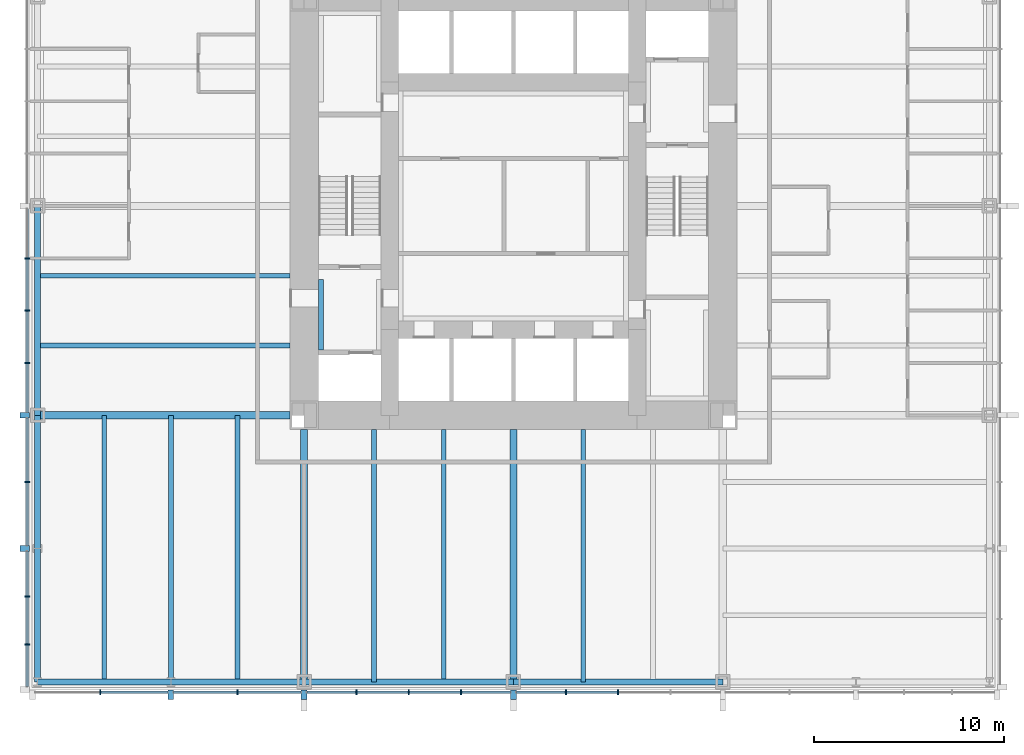
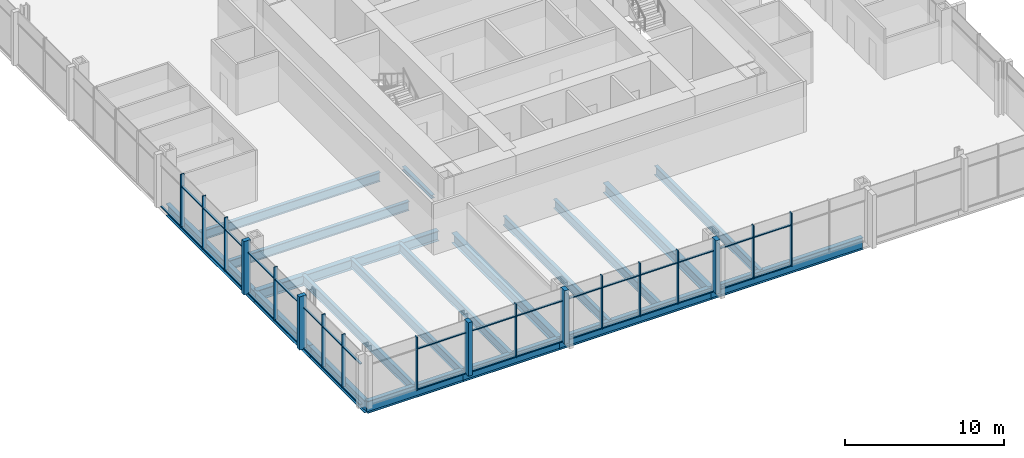
# One storey, part 2 of 12: 53 members, 19 beams, 2 elements without a shape of their own.
"""IFC4 building model written with IfcOpenShell, lengths in metres."""

from ifc_helpers import new_model, si_unit, direction, frame, origin, origin_2d, place, context, subcontext, project, spatial, rectangle, i_section, extrude, material, material_profile, profile_set, type_object, element, aggregate, save


model = new_model("IFC4")

# Units and contexts
model_context = context("Model", 3, precision=1e-05, world=origin(), true_north=direction((0.0, 1.0)))
body_context = subcontext(model_context, "Body", "Model", "MODEL_VIEW")
ifc_project = project(units=[si_unit("LENGTHUNIT", "METRE"), si_unit("AREAUNIT", "SQUARE_METRE"), si_unit("VOLUMEUNIT", "CUBIC_METRE"), si_unit("PLANEANGLEUNIT", "RADIAN"), si_unit("MASSUNIT", "GRAM", prefix="KILO")], contexts=[model_context])

# Site, building, storey
site_placement = place(None, origin())
site = spatial("IfcSite", under=ifc_project, at=site_placement, CompositionType="ELEMENT")
building_placement = place(site_placement, origin())
building = spatial("IfcBuilding", under=site, at=building_placement, Name="Trevanion Tower", CompositionType="ELEMENT")
storey_placement = place(building_placement, frame((0.0, 0.0, 44.699951171875)))
storey = spatial("IfcBuildingStorey", under=building, at=storey_placement, Name="L10", CompositionType="ELEMENT", Elevation=44.699951171875)

# Beams
ifc_material_1 = material(Name="Steel ASTM A992 Grade 50", Category="steel")
ifc_material_profile_1 = material_profile(ifc_material_1, i_section(OverallWidth=0.25390625, OverallDepth=0.700927734375, WebThickness=0.015380859375, FlangeThickness=0.02783203125, at=origin_2d()), Name="W27X129")
ifc_profile_set_1 = profile_set([ifc_material_profile_1], Name="Steel ASTM A992 Grade 50")
beam_type_1 = type_object("IfcBeamType", Name="B3 W27X129", PredefinedType="BEAM", material=ifc_profile_set_1)
for number, where, z_axis, x_axis, name in (
    (1, (-11.75, -3.666748046875, -0.54052734375), (-1.0, 0.0, 0.0), (0.0, -1.0, 0.0), "B3 L10"),
    (2, (-11.75, -7.333251953125, -0.54052734375), (-1.0, 0.0, 0.0), (0.0, -1.0, 0.0), "B3 L10"),
    (3, (-7.333251953125, -11.75, -0.54052734375), (0.0, -1.0, 0.0), (1.0, 0.0, 0.0), "B3 L10"),
    (4, (-3.666748046875, -11.75, -0.54052734375), (0.0, -1.0, 0.0), (1.0, 0.0, 0.0), "B3 L10"),
    (5, (3.666748046875, -11.75, -0.54052734375), (0.0, -1.0, 0.0), (1.0, 0.0, 0.0), "B3 L10"),
):
    element("IfcBeam", number, at=place(storey_placement, frame(where, z_axis=z_axis, x_axis=x_axis)), inside=storey, type_object=beam_type_1, Name=name, PredefinedType="BEAM", context=body_context, shape_type="SweptSolid", body=[
        extrude(i_section(OverallWidth=0.25390625, OverallDepth=0.700927734375, WebThickness=0.015380859375, FlangeThickness=0.02783203125, at=origin_2d()), origin(), (0.0, 0.0, 1.0), 13.25),
    ])
ifc_material_2 = material(Name="Steel ASTM A992 Grade 50", Category="steel")
ifc_material_profile_2 = material_profile(ifc_material_2, i_section(OverallWidth=0.256591796875, OverallDepth=0.693359375, WebThickness=0.014404296875, FlangeThickness=0.023681640625, at=origin_2d()), Name="W27X114")
ifc_profile_set_2 = profile_set([ifc_material_profile_2], Name="Steel ASTM A992 Grade 50")
beam_type_2 = type_object("IfcBeamType", Name="B4 W27X114", PredefinedType="BEAM", material=ifc_profile_set_2)
for number, where, z_axis, x_axis, name in (
    (6, (-14.5, -11.0, -0.53662109375), (0.0, -1.0, 0.0), (1.0, 0.0, 0.0), "B4 L10"),
    (7, (-18.0, -11.0, -0.53662109375), (0.0, -1.0, 0.0), (1.0, 0.0, 0.0), "B4 L10"),
    (8, (-21.5, -11.0, -0.53662109375), (0.0, -1.0, 0.0), (1.0, 0.0, 0.0), "B4 L10"),
):
    element("IfcBeam", number, at=place(storey_placement, frame(where, z_axis=z_axis, x_axis=x_axis)), inside=storey, type_object=beam_type_2, Name=name, PredefinedType="BEAM", context=body_context, shape_type="SweptSolid", body=[
        extrude(i_section(OverallWidth=0.256591796875, OverallDepth=0.693359375, WebThickness=0.014404296875, FlangeThickness=0.023681640625, at=origin_2d()), origin(), (0.0, 0.0, 1.0), 14.0),
    ])

# Curtain wall, members
ifc_material_3 = material(Name="Aluminium and glass", Category="aluminium")
curtain_wall_type = type_object("IfcCurtainWallType", Name="CW1 curtain wall", PredefinedType="USERDEFINED", material=ifc_material_3)
curtain_wall_1_placement = place(storey_placement, origin())
curtain_wall_1 = element("IfcCurtainWall", 9, at=curtain_wall_1_placement, inside=storey, type_object=curtain_wall_type, Name="CW1 L10 2", ObjectType="UNITISED CURTAIN WALL", PredefinedType="USERDEFINED")
ifc_material_4 = material(Name="Aluminium extrusion, anodised bronze", Category="aluminium")
ifc_material_profile_3 = material_profile(ifc_material_4, rectangle(XDim=0.074951171875, YDim=0.25, at=origin_2d()), Name="CW1 mullion")
ifc_profile_set_3 = profile_set([ifc_material_profile_3], Name="Aluminium extrusion, anodised bronze")
member_type_1 = type_object("IfcMemberType", Name="CW1 mullion", PredefinedType="MULLION", material=ifc_profile_set_3)
member_1_placement = place(storey_placement, frame((-25.550048828125, -2.75, -0.18994140625), z_axis=(0.0, 0.0, 1.0), x_axis=(0.0, -1.0, 0.0)))
member_1 = element("IfcMember", 10, at=member_1_placement, type_object=member_type_1, Name="CW1 mullion 10", PredefinedType="MULLION", context=body_context, shape_type="SweptSolid", body=[
    extrude(rectangle(XDim=0.074951171875, YDim=0.25, at=origin_2d()), origin(), (0.0, 0.0, 1.0), 4.10009765625),
])
member_2_placement = place(storey_placement, frame((-25.550048828125, -5.5, -0.18994140625), z_axis=(0.0, 0.0, 1.0), x_axis=(0.0, -1.0, 0.0)))
member_2 = element("IfcMember", 11, at=member_2_placement, type_object=member_type_1, Name="CW1 mullion 11", PredefinedType="MULLION", context=body_context, shape_type="SweptSolid", body=[
    extrude(rectangle(XDim=0.074951171875, YDim=0.25, at=origin_2d()), origin(), (0.0, 0.0, 1.0), 4.10009765625),
])
member_3_placement = place(storey_placement, frame((-25.550048828125, -8.25, -0.18994140625), z_axis=(0.0, 0.0, 1.0), x_axis=(0.0, -1.0, 0.0)))
member_3 = element("IfcMember", 12, at=member_3_placement, type_object=member_type_1, Name="CW1 mullion 12", PredefinedType="MULLION", context=body_context, shape_type="SweptSolid", body=[
    extrude(rectangle(XDim=0.074951171875, YDim=0.25, at=origin_2d()), origin(), (0.0, 0.0, 1.0), 4.10009765625),
])
member_4_placement = place(storey_placement, frame((-25.550048828125, -14.5, -0.18994140625), z_axis=(0.0, 0.0, 1.0), x_axis=(0.0, -1.0, 0.0)))
member_4 = element("IfcMember", 13, at=member_4_placement, type_object=member_type_1, Name="CW1 mullion 14", PredefinedType="MULLION", context=body_context, shape_type="SweptSolid", body=[
    extrude(rectangle(XDim=0.074951171875, YDim=0.25, at=origin_2d()), origin(), (0.0, 0.0, 1.0), 4.10009765625),
])
member_5_placement = place(storey_placement, frame((-25.550048828125, -20.5166015625, -0.18994140625), z_axis=(0.0, 0.0, 1.0), x_axis=(0.0, -1.0, 0.0)))
member_5 = element("IfcMember", 14, at=member_5_placement, type_object=member_type_1, Name="CW1 mullion 16", PredefinedType="MULLION", context=body_context, shape_type="SweptSolid", body=[
    extrude(rectangle(XDim=0.074951171875, YDim=0.25, at=origin_2d()), origin(), (0.0, 0.0, 1.0), 4.10009765625),
])
member_6_placement = place(storey_placement, frame((-25.550048828125, -23.033203125, -0.18994140625), z_axis=(0.0, 0.0, 1.0), x_axis=(0.0, -1.0, 0.0)))
member_6 = element("IfcMember", 15, at=member_6_placement, type_object=member_type_1, Name="CW1 mullion 17", PredefinedType="MULLION", context=body_context, shape_type="SweptSolid", body=[
    extrude(rectangle(XDim=0.074951171875, YDim=0.25, at=origin_2d()), origin(), (0.0, 0.0, 1.0), 4.10009765625),
])

curtain_wall_2_placement = place(storey_placement, origin())
curtain_wall_2 = element("IfcCurtainWall", 16, at=curtain_wall_2_placement, inside=storey, type_object=curtain_wall_type, Name="CW1 L10 3", ObjectType="UNITISED CURTAIN WALL", PredefinedType="USERDEFINED")
member_7_placement = place(storey_placement, frame((-21.7099609375, -25.550048828125, -0.18994140625), z_axis=(0.0, 0.0, 1.0), x_axis=(1.0, 0.0, 0.0)))
member_7 = element("IfcMember", 17, at=member_7_placement, type_object=member_type_1, Name="CW1 mullion 2", PredefinedType="MULLION", context=body_context, shape_type="SweptSolid", body=[
    extrude(rectangle(XDim=0.074951171875, YDim=0.25, at=origin_2d()), origin(), (0.0, 0.0, 1.0), 4.10009765625),
])
member_8_placement = place(storey_placement, frame((-14.5, -25.550048828125, -0.18994140625), z_axis=(0.0, 0.0, 1.0), x_axis=(1.0, 0.0, 0.0)))
member_8 = element("IfcMember", 18, at=member_8_placement, type_object=member_type_1, Name="CW1 mullion 4", PredefinedType="MULLION", context=body_context, shape_type="SweptSolid", body=[
    extrude(rectangle(XDim=0.074951171875, YDim=0.25, at=origin_2d()), origin(), (0.0, 0.0, 1.0), 4.10009765625),
])
member_9_placement = place(storey_placement, frame((-8.25, -25.550048828125, -0.18994140625), z_axis=(0.0, 0.0, 1.0), x_axis=(1.0, 0.0, 0.0)))
member_9 = element("IfcMember", 19, at=member_9_placement, type_object=member_type_1, Name="CW1 mullion 6", PredefinedType="MULLION", context=body_context, shape_type="SweptSolid", body=[
    extrude(rectangle(XDim=0.074951171875, YDim=0.25, at=origin_2d()), origin(), (0.0, 0.0, 1.0), 4.10009765625),
])
member_10_placement = place(storey_placement, frame((-5.5, -25.550048828125, -0.18994140625), z_axis=(0.0, 0.0, 1.0), x_axis=(1.0, 0.0, 0.0)))
member_10 = element("IfcMember", 20, at=member_10_placement, type_object=member_type_1, Name="CW1 mullion 7", PredefinedType="MULLION", context=body_context, shape_type="SweptSolid", body=[
    extrude(rectangle(XDim=0.074951171875, YDim=0.25, at=origin_2d()), origin(), (0.0, 0.0, 1.0), 4.10009765625),
])
member_11_placement = place(storey_placement, frame((-2.75, -25.550048828125, -0.18994140625), z_axis=(0.0, 0.0, 1.0), x_axis=(1.0, 0.0, 0.0)))
member_11 = element("IfcMember", 21, at=member_11_placement, type_object=member_type_1, Name="CW1 mullion 8", PredefinedType="MULLION", context=body_context, shape_type="SweptSolid", body=[
    extrude(rectangle(XDim=0.074951171875, YDim=0.25, at=origin_2d()), origin(), (0.0, 0.0, 1.0), 4.10009765625),
])
member_12_placement = place(storey_placement, frame((2.75, -25.550048828125, -0.18994140625), z_axis=(0.0, 0.0, 1.0), x_axis=(1.0, 0.0, 0.0)))
member_12 = element("IfcMember", 22, at=member_12_placement, type_object=member_type_1, Name="CW1 mullion 10", PredefinedType="MULLION", context=body_context, shape_type="SweptSolid", body=[
    extrude(rectangle(XDim=0.074951171875, YDim=0.25, at=origin_2d()), origin(), (0.0, 0.0, 1.0), 4.10009765625),
])
member_13_placement = place(storey_placement, frame((5.5, -25.550048828125, -0.18994140625), z_axis=(0.0, 0.0, 1.0), x_axis=(1.0, 0.0, 0.0)))
member_13 = element("IfcMember", 23, at=member_13_placement, type_object=member_type_1, Name="CW1 mullion 11", PredefinedType="MULLION", context=body_context, shape_type="SweptSolid", body=[
    extrude(rectangle(XDim=0.074951171875, YDim=0.25, at=origin_2d()), origin(), (0.0, 0.0, 1.0), 4.10009765625),
])

# Member
ifc_material_5 = material(Name="Aluminium extrusion, anodised bronze", Category="aluminium")
ifc_material_profile_4 = material_profile(ifc_material_5, rectangle(XDim=0.300048828125, YDim=0.5, at=origin_2d()), Name="CW1 pier mullion")
ifc_profile_set_4 = profile_set([ifc_material_profile_4], Name="Aluminium extrusion, anodised bronze")
member_type_2 = type_object("IfcMemberType", Name="CW1 pier mullion", PredefinedType="MULLION", material=ifc_profile_set_4)
member_14_placement = place(storey_placement, frame((-25.675048828125, -11.0, -0.18994140625), z_axis=(0.0, 0.0, 1.0), x_axis=(0.0, -1.0, 0.0)))
member_14 = element("IfcMember", 24, at=member_14_placement, type_object=member_type_2, Name="CW1 pier mullion 13", PredefinedType="MULLION", context=body_context, shape_type="SweptSolid", body=[
    extrude(rectangle(XDim=0.300048828125, YDim=0.5, at=origin_2d()), origin(), (0.0, 0.0, 1.0), 4.10009765625),
])

member_15_placement = place(storey_placement, frame((-25.675048828125, -18.0, -0.18994140625), z_axis=(0.0, 0.0, 1.0), x_axis=(0.0, -1.0, 0.0)))
member_15 = element("IfcMember", 25, at=member_15_placement, type_object=member_type_2, Name="CW1 pier mullion 15", PredefinedType="MULLION", context=body_context, shape_type="SweptSolid", body=[
    extrude(rectangle(XDim=0.300048828125, YDim=0.5, at=origin_2d()), origin(), (0.0, 0.0, 1.0), 4.10009765625),
])

member_16_placement = place(storey_placement, frame((-18.0, -25.675048828125, -0.18994140625), z_axis=(0.0, 0.0, 1.0), x_axis=(1.0, 0.0, 0.0)))
member_16 = element("IfcMember", 26, at=member_16_placement, type_object=member_type_2, Name="CW1 pier mullion 3", PredefinedType="MULLION", context=body_context, shape_type="SweptSolid", body=[
    extrude(rectangle(XDim=0.300048828125, YDim=0.5, at=origin_2d()), origin(), (0.0, 0.0, 1.0), 4.10009765625),
])

member_17_placement = place(storey_placement, frame((-11.0, -25.675048828125, -0.18994140625), z_axis=(0.0, 0.0, 1.0), x_axis=(1.0, 0.0, 0.0)))
member_17 = element("IfcMember", 27, at=member_17_placement, type_object=member_type_2, Name="CW1 pier mullion 5", PredefinedType="MULLION", context=body_context, shape_type="SweptSolid", body=[
    extrude(rectangle(XDim=0.300048828125, YDim=0.5, at=origin_2d()), origin(), (0.0, 0.0, 1.0), 4.10009765625),
])

member_18_placement = place(storey_placement, frame((0.0, -25.675048828125, -0.18994140625), z_axis=(0.0, 0.0, 1.0), x_axis=(1.0, 0.0, 0.0)))
member_18 = element("IfcMember", 28, at=member_18_placement, type_object=member_type_2, Name="CW1 pier mullion 9", PredefinedType="MULLION", context=body_context, shape_type="SweptSolid", body=[
    extrude(rectangle(XDim=0.300048828125, YDim=0.5, at=origin_2d()), origin(), (0.0, 0.0, 1.0), 4.10009765625),
])

ifc_material_6 = material(Name="Aluminium extrusion, anodised bronze", Category="aluminium")
ifc_material_profile_5 = material_profile(ifc_material_6, rectangle(XDim=0.14990234375, YDim=0.074951171875, at=origin_2d()), Name="CW1 transom")
ifc_profile_set_5 = profile_set([ifc_material_profile_5], Name="Aluminium extrusion, anodised bronze")
member_type_3 = type_object("IfcMemberType", Name="CW1 transom", PredefinedType="USERDEFINED", material=ifc_profile_set_5)
member_19_placement = place(storey_placement, frame((-25.550048828125, -0.14990234375, -0.15234375), z_axis=(0.0, -1.0, 0.0), x_axis=(1.0, 0.0, 0.0)))
member_19 = element("IfcMember", 29, at=member_19_placement, type_object=member_type_3, Name="CW1 transom 9.1", ObjectType="TRANSOM", PredefinedType="USERDEFINED", context=body_context, shape_type="SweptSolid", body=[
    extrude(rectangle(XDim=0.14990234375, YDim=0.074951171875, at=origin_2d()), origin(), (0.0, 0.0, 1.0), 2.5625),
])

member_20_placement = place(storey_placement, frame((-25.550048828125, -2.78759765625, -0.15234375), z_axis=(0.0, -1.0, 0.0), x_axis=(1.0, 0.0, 0.0)))
member_20 = element("IfcMember", 30, at=member_20_placement, type_object=member_type_3, Name="CW1 transom 10.1", ObjectType="TRANSOM", PredefinedType="USERDEFINED", context=body_context, shape_type="SweptSolid", body=[
    extrude(rectangle(XDim=0.14990234375, YDim=0.074951171875, at=origin_2d()), origin(), (0.0, 0.0, 1.0), 2.6748046875),
])

member_21_placement = place(storey_placement, frame((-25.550048828125, -2.78759765625, 2.9599609375), z_axis=(0.0, -1.0, 0.0), x_axis=(1.0, 0.0, 0.0)))
member_21 = element("IfcMember", 31, at=member_21_placement, type_object=member_type_3, Name="CW1 transom 10.2", ObjectType="TRANSOM", PredefinedType="USERDEFINED", context=body_context, shape_type="SweptSolid", body=[
    extrude(rectangle(XDim=0.14990234375, YDim=0.074951171875, at=origin_2d()), origin(), (0.0, 0.0, 1.0), 2.6748046875),
])

member_22_placement = place(storey_placement, frame((-25.550048828125, -5.53759765625, -0.15234375), z_axis=(0.0, -1.0, 0.0), x_axis=(1.0, 0.0, 0.0)))
member_22 = element("IfcMember", 32, at=member_22_placement, type_object=member_type_3, Name="CW1 transom 11.1", ObjectType="TRANSOM", PredefinedType="USERDEFINED", context=body_context, shape_type="SweptSolid", body=[
    extrude(rectangle(XDim=0.14990234375, YDim=0.074951171875, at=origin_2d()), origin(), (0.0, 0.0, 1.0), 2.6748046875),
])

member_23_placement = place(storey_placement, frame((-25.550048828125, -5.53759765625, 2.9599609375), z_axis=(0.0, -1.0, 0.0), x_axis=(1.0, 0.0, 0.0)))
member_23 = element("IfcMember", 33, at=member_23_placement, type_object=member_type_3, Name="CW1 transom 11.2", ObjectType="TRANSOM", PredefinedType="USERDEFINED", context=body_context, shape_type="SweptSolid", body=[
    extrude(rectangle(XDim=0.14990234375, YDim=0.074951171875, at=origin_2d()), origin(), (0.0, 0.0, 1.0), 2.6748046875),
])

member_24_placement = place(storey_placement, frame((-25.550048828125, -8.28759765625, -0.15234375), z_axis=(0.0, -1.0, 0.0), x_axis=(1.0, 0.0, 0.0)))
member_24 = element("IfcMember", 34, at=member_24_placement, type_object=member_type_3, Name="CW1 transom 12.1", ObjectType="TRANSOM", PredefinedType="USERDEFINED", context=body_context, shape_type="SweptSolid", body=[
    extrude(rectangle(XDim=0.14990234375, YDim=0.074951171875, at=origin_2d()), origin(), (0.0, 0.0, 1.0), 2.5625),
])

member_25_placement = place(storey_placement, frame((-25.550048828125, -8.28759765625, 2.9599609375), z_axis=(0.0, -1.0, 0.0), x_axis=(1.0, 0.0, 0.0)))
member_25 = element("IfcMember", 35, at=member_25_placement, type_object=member_type_3, Name="CW1 transom 12.2", ObjectType="TRANSOM", PredefinedType="USERDEFINED", context=body_context, shape_type="SweptSolid", body=[
    extrude(rectangle(XDim=0.14990234375, YDim=0.074951171875, at=origin_2d()), origin(), (0.0, 0.0, 1.0), 2.5625),
])

member_26_placement = place(storey_placement, frame((-25.550048828125, -11.14990234375, -0.15234375), z_axis=(0.0, -1.0, 0.0), x_axis=(1.0, 0.0, 0.0)))
member_26 = element("IfcMember", 36, at=member_26_placement, type_object=member_type_3, Name="CW1 transom 13.1", ObjectType="TRANSOM", PredefinedType="USERDEFINED", context=body_context, shape_type="SweptSolid", body=[
    extrude(rectangle(XDim=0.14990234375, YDim=0.074951171875, at=origin_2d()), origin(), (0.0, 0.0, 1.0), 3.3125),
])

member_27_placement = place(storey_placement, frame((-25.550048828125, -11.14990234375, 2.9599609375), z_axis=(0.0, -1.0, 0.0), x_axis=(1.0, 0.0, 0.0)))
member_27 = element("IfcMember", 37, at=member_27_placement, type_object=member_type_3, Name="CW1 transom 13.2", ObjectType="TRANSOM", PredefinedType="USERDEFINED", context=body_context, shape_type="SweptSolid", body=[
    extrude(rectangle(XDim=0.14990234375, YDim=0.074951171875, at=origin_2d()), origin(), (0.0, 0.0, 1.0), 3.3125),
])

member_28_placement = place(storey_placement, frame((-25.550048828125, -14.53759765625, -0.15234375), z_axis=(0.0, -1.0, 0.0), x_axis=(1.0, 0.0, 0.0)))
member_28 = element("IfcMember", 38, at=member_28_placement, type_object=member_type_3, Name="CW1 transom 14.1", ObjectType="TRANSOM", PredefinedType="USERDEFINED", context=body_context, shape_type="SweptSolid", body=[
    extrude(rectangle(XDim=0.14990234375, YDim=0.074951171875, at=origin_2d()), origin(), (0.0, 0.0, 1.0), 3.3125),
])

member_29_placement = place(storey_placement, frame((-25.550048828125, -14.53759765625, 2.9599609375), z_axis=(0.0, -1.0, 0.0), x_axis=(1.0, 0.0, 0.0)))
member_29 = element("IfcMember", 39, at=member_29_placement, type_object=member_type_3, Name="CW1 transom 14.2", ObjectType="TRANSOM", PredefinedType="USERDEFINED", context=body_context, shape_type="SweptSolid", body=[
    extrude(rectangle(XDim=0.14990234375, YDim=0.074951171875, at=origin_2d()), origin(), (0.0, 0.0, 1.0), 3.3125),
])

member_30_placement = place(storey_placement, frame((-25.550048828125, -18.14990234375, -0.15234375), z_axis=(0.0, -1.0, 0.0), x_axis=(1.0, 0.0, 0.0)))
member_30 = element("IfcMember", 40, at=member_30_placement, type_object=member_type_3, Name="CW1 transom 15.1", ObjectType="TRANSOM", PredefinedType="USERDEFINED", context=body_context, shape_type="SweptSolid", body=[
    extrude(rectangle(XDim=0.14990234375, YDim=0.074951171875, at=origin_2d()), origin(), (0.0, 0.0, 1.0), 2.329345703125),
])

member_31_placement = place(storey_placement, frame((-25.550048828125, -18.14990234375, 2.9599609375), z_axis=(0.0, -1.0, 0.0), x_axis=(1.0, 0.0, 0.0)))
member_31 = element("IfcMember", 41, at=member_31_placement, type_object=member_type_3, Name="CW1 transom 15.2", ObjectType="TRANSOM", PredefinedType="USERDEFINED", context=body_context, shape_type="SweptSolid", body=[
    extrude(rectangle(XDim=0.14990234375, YDim=0.074951171875, at=origin_2d()), origin(), (0.0, 0.0, 1.0), 2.329345703125),
])

member_32_placement = place(storey_placement, frame((-25.550048828125, -20.55419921875, -0.15234375), z_axis=(0.0, -1.0, 0.0), x_axis=(1.0, 0.0, 0.0)))
member_32 = element("IfcMember", 42, at=member_32_placement, type_object=member_type_3, Name="CW1 transom 16.1", ObjectType="TRANSOM", PredefinedType="USERDEFINED", context=body_context, shape_type="SweptSolid", body=[
    extrude(rectangle(XDim=0.14990234375, YDim=0.074951171875, at=origin_2d()), origin(), (0.0, 0.0, 1.0), 2.441650390625),
])

member_33_placement = place(storey_placement, frame((-25.550048828125, -20.55419921875, 2.9599609375), z_axis=(0.0, -1.0, 0.0), x_axis=(1.0, 0.0, 0.0)))
member_33 = element("IfcMember", 43, at=member_33_placement, type_object=member_type_3, Name="CW1 transom 16.2", ObjectType="TRANSOM", PredefinedType="USERDEFINED", context=body_context, shape_type="SweptSolid", body=[
    extrude(rectangle(XDim=0.14990234375, YDim=0.074951171875, at=origin_2d()), origin(), (0.0, 0.0, 1.0), 2.441650390625),
])

member_34_placement = place(storey_placement, frame((-25.550048828125, -23.07080078125, -0.15234375), z_axis=(0.0, -1.0, 0.0), x_axis=(1.0, 0.0, 0.0)))
member_34 = element("IfcMember", 44, at=member_34_placement, type_object=member_type_3, Name="CW1 transom 17.1", ObjectType="TRANSOM", PredefinedType="USERDEFINED", context=body_context, shape_type="SweptSolid", body=[
    extrude(rectangle(XDim=0.14990234375, YDim=0.074951171875, at=origin_2d()), origin(), (0.0, 0.0, 1.0), 2.17919921875),
])

member_35_placement = place(storey_placement, frame((-25.550048828125, -23.07080078125, 2.9599609375), z_axis=(0.0, -1.0, 0.0), x_axis=(1.0, 0.0, 0.0)))
member_35 = element("IfcMember", 45, at=member_35_placement, type_object=member_type_3, Name="CW1 transom 17.2", ObjectType="TRANSOM", PredefinedType="USERDEFINED", context=body_context, shape_type="SweptSolid", body=[
    extrude(rectangle(XDim=0.14990234375, YDim=0.074951171875, at=origin_2d()), origin(), (0.0, 0.0, 1.0), 2.17919921875),
])

aggregate(curtain_wall_1, [member_1, member_2, member_3, member_14, member_4, member_15, member_5, member_6, member_19, member_20, member_21, member_22, member_23, member_24, member_25, member_26, member_27, member_28, member_29, member_30, member_31, member_32, member_33, member_34, member_35])

member_36_placement = place(storey_placement, frame((-21.672607421875, -25.550048828125, -0.15234375), z_axis=(1.0, 0.0, 0.0), x_axis=(0.0, 1.0, 0.0)))
member_36 = element("IfcMember", 46, at=member_36_placement, type_object=member_type_3, Name="CW1 transom 2.1", ObjectType="TRANSOM", PredefinedType="USERDEFINED", context=body_context, shape_type="SweptSolid", body=[
    extrude(rectangle(XDim=0.14990234375, YDim=0.074951171875, at=origin_2d()), origin(), (0.0, 0.0, 1.0), 3.522705078125),
])

member_37_placement = place(storey_placement, frame((-21.672607421875, -25.550048828125, 2.9599609375), z_axis=(1.0, 0.0, 0.0), x_axis=(0.0, 1.0, 0.0)))
member_37 = element("IfcMember", 47, at=member_37_placement, type_object=member_type_3, Name="CW1 transom 2.2", ObjectType="TRANSOM", PredefinedType="USERDEFINED", context=body_context, shape_type="SweptSolid", body=[
    extrude(rectangle(XDim=0.14990234375, YDim=0.074951171875, at=origin_2d()), origin(), (0.0, 0.0, 1.0), 3.522705078125),
])

member_38_placement = place(storey_placement, frame((-17.85009765625, -25.550048828125, -0.15234375), z_axis=(1.0, 0.0, 0.0), x_axis=(0.0, 1.0, 0.0)))
member_38 = element("IfcMember", 48, at=member_38_placement, type_object=member_type_3, Name="CW1 transom 3.1", ObjectType="TRANSOM", PredefinedType="USERDEFINED", context=body_context, shape_type="SweptSolid", body=[
    extrude(rectangle(XDim=0.14990234375, YDim=0.074951171875, at=origin_2d()), origin(), (0.0, 0.0, 1.0), 3.3125),
])

member_39_placement = place(storey_placement, frame((-17.85009765625, -25.550048828125, 2.9599609375), z_axis=(1.0, 0.0, 0.0), x_axis=(0.0, 1.0, 0.0)))
member_39 = element("IfcMember", 49, at=member_39_placement, type_object=member_type_3, Name="CW1 transom 3.2", ObjectType="TRANSOM", PredefinedType="USERDEFINED", context=body_context, shape_type="SweptSolid", body=[
    extrude(rectangle(XDim=0.14990234375, YDim=0.074951171875, at=origin_2d()), origin(), (0.0, 0.0, 1.0), 3.3125),
])

member_40_placement = place(storey_placement, frame((-14.46240234375, -25.550048828125, -0.15234375), z_axis=(1.0, 0.0, 0.0), x_axis=(0.0, 1.0, 0.0)))
member_40 = element("IfcMember", 50, at=member_40_placement, type_object=member_type_3, Name="CW1 transom 4.1", ObjectType="TRANSOM", PredefinedType="USERDEFINED", context=body_context, shape_type="SweptSolid", body=[
    extrude(rectangle(XDim=0.14990234375, YDim=0.074951171875, at=origin_2d()), origin(), (0.0, 0.0, 1.0), 3.3125),
])

member_41_placement = place(storey_placement, frame((-14.46240234375, -25.550048828125, 2.9599609375), z_axis=(1.0, 0.0, 0.0), x_axis=(0.0, 1.0, 0.0)))
member_41 = element("IfcMember", 51, at=member_41_placement, type_object=member_type_3, Name="CW1 transom 4.2", ObjectType="TRANSOM", PredefinedType="USERDEFINED", context=body_context, shape_type="SweptSolid", body=[
    extrude(rectangle(XDim=0.14990234375, YDim=0.074951171875, at=origin_2d()), origin(), (0.0, 0.0, 1.0), 3.3125),
])

member_42_placement = place(storey_placement, frame((-10.85009765625, -25.550048828125, -0.15234375), z_axis=(1.0, 0.0, 0.0), x_axis=(0.0, 1.0, 0.0)))
member_42 = element("IfcMember", 52, at=member_42_placement, type_object=member_type_3, Name="CW1 transom 5.1", ObjectType="TRANSOM", PredefinedType="USERDEFINED", context=body_context, shape_type="SweptSolid", body=[
    extrude(rectangle(XDim=0.14990234375, YDim=0.074951171875, at=origin_2d()), origin(), (0.0, 0.0, 1.0), 2.5625),
])

member_43_placement = place(storey_placement, frame((-10.85009765625, -25.550048828125, 2.9599609375), z_axis=(1.0, 0.0, 0.0), x_axis=(0.0, 1.0, 0.0)))
member_43 = element("IfcMember", 53, at=member_43_placement, type_object=member_type_3, Name="CW1 transom 5.2", ObjectType="TRANSOM", PredefinedType="USERDEFINED", context=body_context, shape_type="SweptSolid", body=[
    extrude(rectangle(XDim=0.14990234375, YDim=0.074951171875, at=origin_2d()), origin(), (0.0, 0.0, 1.0), 2.5625),
])

member_44_placement = place(storey_placement, frame((-8.21240234375, -25.550048828125, -0.15234375), z_axis=(1.0, 0.0, 0.0), x_axis=(0.0, 1.0, 0.0)))
member_44 = element("IfcMember", 54, at=member_44_placement, type_object=member_type_3, Name="CW1 transom 6.1", ObjectType="TRANSOM", PredefinedType="USERDEFINED", context=body_context, shape_type="SweptSolid", body=[
    extrude(rectangle(XDim=0.14990234375, YDim=0.074951171875, at=origin_2d()), origin(), (0.0, 0.0, 1.0), 2.6748046875),
])

member_45_placement = place(storey_placement, frame((-8.21240234375, -25.550048828125, 2.9599609375), z_axis=(1.0, 0.0, 0.0), x_axis=(0.0, 1.0, 0.0)))
member_45 = element("IfcMember", 55, at=member_45_placement, type_object=member_type_3, Name="CW1 transom 6.2", ObjectType="TRANSOM", PredefinedType="USERDEFINED", context=body_context, shape_type="SweptSolid", body=[
    extrude(rectangle(XDim=0.14990234375, YDim=0.074951171875, at=origin_2d()), origin(), (0.0, 0.0, 1.0), 2.6748046875),
])

member_46_placement = place(storey_placement, frame((-5.46240234375, -25.550048828125, -0.15234375), z_axis=(1.0, 0.0, 0.0), x_axis=(0.0, 1.0, 0.0)))
member_46 = element("IfcMember", 56, at=member_46_placement, type_object=member_type_3, Name="CW1 transom 7.1", ObjectType="TRANSOM", PredefinedType="USERDEFINED", context=body_context, shape_type="SweptSolid", body=[
    extrude(rectangle(XDim=0.14990234375, YDim=0.074951171875, at=origin_2d()), origin(), (0.0, 0.0, 1.0), 2.6748046875),
])

member_47_placement = place(storey_placement, frame((-5.46240234375, -25.550048828125, 2.9599609375), z_axis=(1.0, 0.0, 0.0), x_axis=(0.0, 1.0, 0.0)))
member_47 = element("IfcMember", 57, at=member_47_placement, type_object=member_type_3, Name="CW1 transom 7.2", ObjectType="TRANSOM", PredefinedType="USERDEFINED", context=body_context, shape_type="SweptSolid", body=[
    extrude(rectangle(XDim=0.14990234375, YDim=0.074951171875, at=origin_2d()), origin(), (0.0, 0.0, 1.0), 2.6748046875),
])

member_48_placement = place(storey_placement, frame((-2.71240234375, -25.550048828125, -0.15234375), z_axis=(1.0, 0.0, 0.0), x_axis=(0.0, 1.0, 0.0)))
member_48 = element("IfcMember", 58, at=member_48_placement, type_object=member_type_3, Name="CW1 transom 8.1", ObjectType="TRANSOM", PredefinedType="USERDEFINED", context=body_context, shape_type="SweptSolid", body=[
    extrude(rectangle(XDim=0.14990234375, YDim=0.074951171875, at=origin_2d()), origin(), (0.0, 0.0, 1.0), 2.5625),
])

member_49_placement = place(storey_placement, frame((-2.71240234375, -25.550048828125, 2.9599609375), z_axis=(1.0, 0.0, 0.0), x_axis=(0.0, 1.0, 0.0)))
member_49 = element("IfcMember", 59, at=member_49_placement, type_object=member_type_3, Name="CW1 transom 8.2", ObjectType="TRANSOM", PredefinedType="USERDEFINED", context=body_context, shape_type="SweptSolid", body=[
    extrude(rectangle(XDim=0.14990234375, YDim=0.074951171875, at=origin_2d()), origin(), (0.0, 0.0, 1.0), 2.5625),
])

member_50_placement = place(storey_placement, frame((0.14990234375, -25.550048828125, -0.15234375), z_axis=(1.0, 0.0, 0.0), x_axis=(0.0, 1.0, 0.0)))
member_50 = element("IfcMember", 60, at=member_50_placement, type_object=member_type_3, Name="CW1 transom 9.1", ObjectType="TRANSOM", PredefinedType="USERDEFINED", context=body_context, shape_type="SweptSolid", body=[
    extrude(rectangle(XDim=0.14990234375, YDim=0.074951171875, at=origin_2d()), origin(), (0.0, 0.0, 1.0), 2.5625),
])

member_51_placement = place(storey_placement, frame((0.14990234375, -25.550048828125, 2.9599609375), z_axis=(1.0, 0.0, 0.0), x_axis=(0.0, 1.0, 0.0)))
member_51 = element("IfcMember", 61, at=member_51_placement, type_object=member_type_3, Name="CW1 transom 9.2", ObjectType="TRANSOM", PredefinedType="USERDEFINED", context=body_context, shape_type="SweptSolid", body=[
    extrude(rectangle(XDim=0.14990234375, YDim=0.074951171875, at=origin_2d()), origin(), (0.0, 0.0, 1.0), 2.5625),
])

member_52_placement = place(storey_placement, frame((2.78759765625, -25.550048828125, -0.15234375), z_axis=(1.0, 0.0, 0.0), x_axis=(0.0, 1.0, 0.0)))
member_52 = element("IfcMember", 62, at=member_52_placement, type_object=member_type_3, Name="CW1 transom 10.1", ObjectType="TRANSOM", PredefinedType="USERDEFINED", context=body_context, shape_type="SweptSolid", body=[
    extrude(rectangle(XDim=0.14990234375, YDim=0.074951171875, at=origin_2d()), origin(), (0.0, 0.0, 1.0), 2.6748046875),
])

member_53_placement = place(storey_placement, frame((2.78759765625, -25.550048828125, 2.9599609375), z_axis=(1.0, 0.0, 0.0), x_axis=(0.0, 1.0, 0.0)))
member_53 = element("IfcMember", 63, at=member_53_placement, type_object=member_type_3, Name="CW1 transom 10.2", ObjectType="TRANSOM", PredefinedType="USERDEFINED", context=body_context, shape_type="SweptSolid", body=[
    extrude(rectangle(XDim=0.14990234375, YDim=0.074951171875, at=origin_2d()), origin(), (0.0, 0.0, 1.0), 2.6748046875),
])

aggregate(curtain_wall_2, [member_7, member_16, member_8, member_17, member_9, member_10, member_11, member_18, member_12, member_13, member_36, member_37, member_38, member_39, member_40, member_41, member_42, member_43, member_44, member_45, member_46, member_47, member_48, member_49, member_50, member_51, member_52, member_53])

# Beams
ifc_material_7 = material(Name="Steel ASTM A992 Grade 50", Category="steel")
ifc_material_profile_6 = material_profile(ifc_material_7, i_section(OverallWidth=0.381103515625, OverallDepth=0.77978515625, WebThickness=0.01806640625, FlangeThickness=0.0302734375, at=origin_2d()), Name="W30X191")
ifc_profile_set_6 = profile_set([ifc_material_profile_6], Name="Steel ASTM A992 Grade 50")
beam_type_3 = type_object("IfcBeamType", Name="G2 W30X191", PredefinedType="BEAM", material=ifc_profile_set_6)
for number, where, z_axis, x_axis, name in (
    (64, (-11.75, -11.0, -0.579833984375), (-1.0, 0.0, 0.0), (0.0, -1.0, 0.0), "G2 L10"),
    (65, (-11.0, -11.75, -0.579833984375), (0.0, -1.0, 0.0), (1.0, 0.0, 0.0), "G2 L10"),
    (66, (0.0, -11.75, -0.579833984375), (0.0, -1.0, 0.0), (1.0, 0.0, 0.0), "G2 L10"),
):
    element("IfcBeam", number, at=place(storey_placement, frame(where, z_axis=z_axis, x_axis=x_axis)), inside=storey, type_object=beam_type_3, Name=name, PredefinedType="BEAM", context=body_context, shape_type="SweptSolid", body=[
        extrude(i_section(OverallWidth=0.381103515625, OverallDepth=0.77978515625, WebThickness=0.01806640625, FlangeThickness=0.0302734375, at=origin_2d()), origin(), (0.0, 0.0, 1.0), 13.25),
    ])
ifc_material_8 = material(Name="Steel ASTM A992 Grade 50", Category="steel")
ifc_material_profile_7 = material_profile(ifc_material_8, i_section(OverallWidth=0.256591796875, OverallDepth=0.26416015625, WebThickness=0.011962890625, FlangeThickness=0.01953125, at=origin_2d()), Name="W10X68")
ifc_profile_set_7 = profile_set([ifc_material_profile_7], Name="Steel ASTM A992 Grade 50")
beam_type_4 = type_object("IfcBeamType", Name="LB1 W10X68", PredefinedType="BEAM", material=ifc_profile_set_7)
beam_1_placement = place(storey_placement, frame((-10.12158203125, -7.574951171875, -0.33203125), z_axis=(0.0, 1.0, 0.0), x_axis=(-1.0, 0.0, 0.0)))
element("IfcBeam", 67, at=beam_1_placement, inside=storey, type_object=beam_type_4, Name="LB1 L10", PredefinedType="BEAM", context=body_context, shape_type="SweptSolid", body=[
    extrude(i_section(OverallWidth=0.256591796875, OverallDepth=0.26416015625, WebThickness=0.011962890625, FlangeThickness=0.01953125, at=origin_2d()), origin(), (0.0, 0.0, 1.0), 3.699951171875),
])
ifc_material_9 = material(Name="Steel ASTM A992 Grade 50", Category="steel")
ifc_material_profile_8 = material_profile(ifc_material_9, i_section(OverallWidth=0.307373046875, OverallDepth=0.927001953125, WebThickness=0.01953125, FlangeThickness=0.031982421875, at=origin_2d()), Name="W36X194")
ifc_profile_set_8 = profile_set([ifc_material_profile_8], Name="Steel ASTM A992 Grade 50")
beam_type_5 = type_object("IfcBeamType", Name="SB2 W36X194", PredefinedType="SPANDREL", material=ifc_profile_set_8)
beam_2_placement = place(storey_placement, frame((-25.0, 0.0, -0.653564453125), z_axis=(0.0, -1.0, 0.0), x_axis=(1.0, 0.0, 0.0)))
element("IfcBeam", 68, at=beam_2_placement, inside=storey, type_object=beam_type_5, Name="SB2 L10", PredefinedType="SPANDREL", context=body_context, shape_type="SweptSolid", body=[
    extrude(i_section(OverallWidth=0.307373046875, OverallDepth=0.927001953125, WebThickness=0.01953125, FlangeThickness=0.031982421875, at=origin_2d()), origin(), (0.0, 0.0, 1.0), 11.0),
])
for number, where, z_axis, x_axis, name in (
    (69, (-25.0, -11.0, -0.653564453125), (0.0, -1.0, 0.0), (1.0, 0.0, 0.0), "SB2 L10"),
    (70, (-25.0, -18.0, -0.653564453125), (0.0, -1.0, 0.0), (1.0, 0.0, 0.0), "SB2 L10"),
    (71, (-25.0, -25.0, -0.653564453125), (1.0, 0.0, 0.0), (0.0, 1.0, 0.0), "SB2 L10"),
    (72, (-18.0, -25.0, -0.653564453125), (1.0, 0.0, 0.0), (0.0, 1.0, 0.0), "SB2 L10"),
):
    element("IfcBeam", number, at=place(storey_placement, frame(where, z_axis=z_axis, x_axis=x_axis)), inside=storey, type_object=beam_type_5, Name=name, PredefinedType="SPANDREL", context=body_context, shape_type="SweptSolid", body=[
        extrude(i_section(OverallWidth=0.307373046875, OverallDepth=0.927001953125, WebThickness=0.01953125, FlangeThickness=0.031982421875, at=origin_2d()), origin(), (0.0, 0.0, 1.0), 7.0),
    ])
for number, where, z_axis, x_axis, name in (
    (73, (-11.0, -25.0, -0.653564453125), (1.0, 0.0, 0.0), (0.0, 1.0, 0.0), "SB2 L10"),
    (74, (0.0, -25.0, -0.653564453125), (1.0, 0.0, 0.0), (0.0, 1.0, 0.0), "SB2 L10"),
):
    element("IfcBeam", number, at=place(storey_placement, frame(where, z_axis=z_axis, x_axis=x_axis)), inside=storey, type_object=beam_type_5, Name=name, PredefinedType="SPANDREL", context=body_context, shape_type="SweptSolid", body=[
        extrude(i_section(OverallWidth=0.307373046875, OverallDepth=0.927001953125, WebThickness=0.01953125, FlangeThickness=0.031982421875, at=origin_2d()), origin(), (0.0, 0.0, 1.0), 11.0),
    ])

save(model, "model.ifc")
